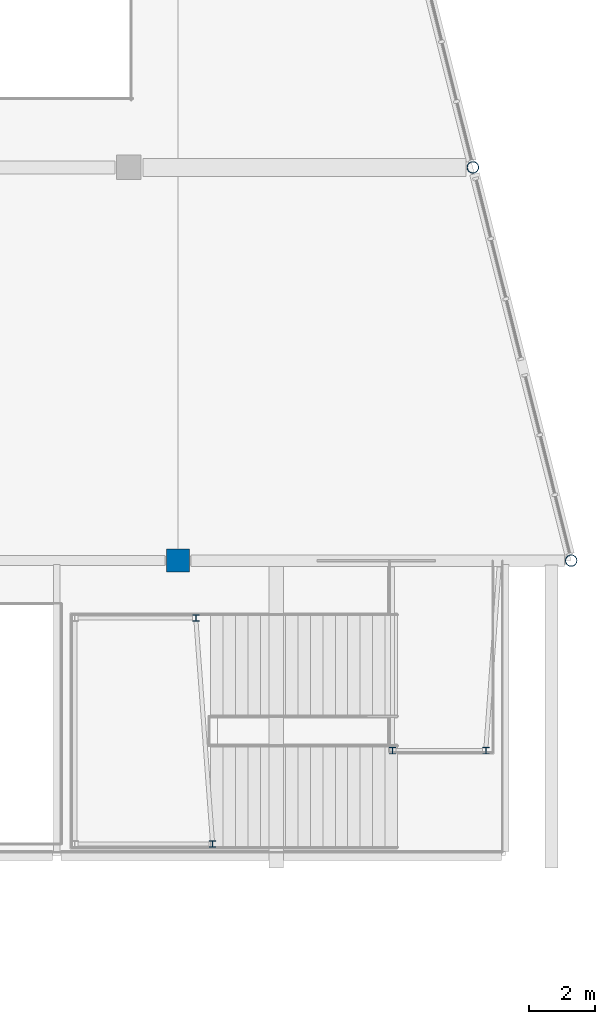
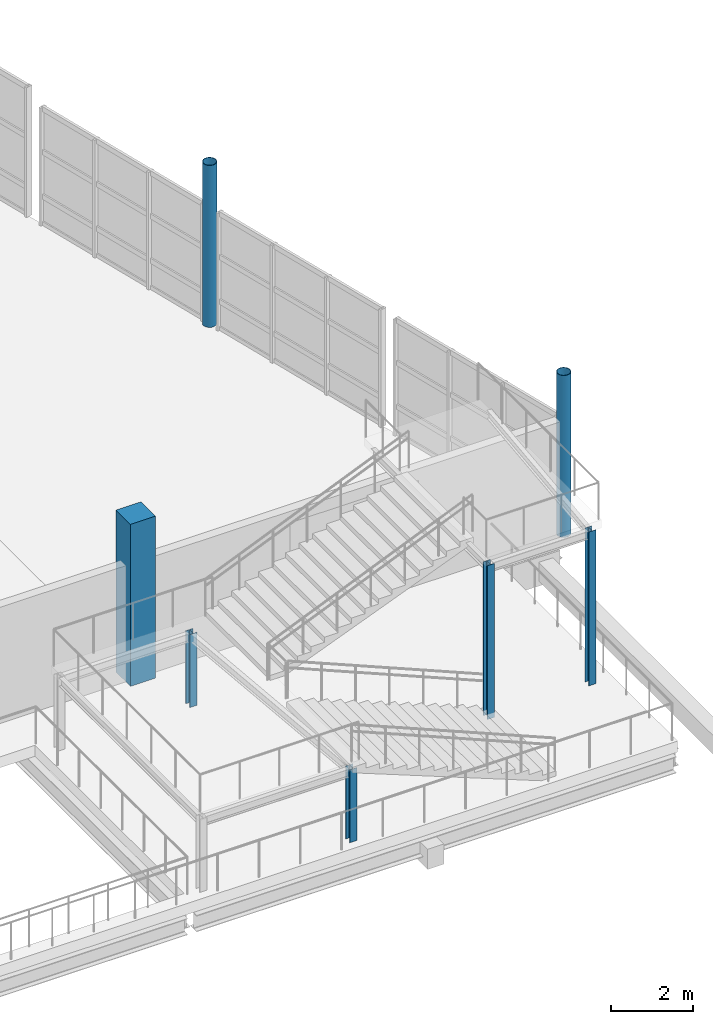
# One storey, part 10 of 112: 7 columns.
"""IFC4 building model written with IfcOpenShell, lengths in metres."""

from ifc_helpers import new_model, si_unit, direction, frame, origin, origin_2d, place, context, subcontext, project, spatial, rectangle, hollow_circle, i_section, extrude, material, material_profile, profile_set, type_object, element, save


model = new_model("IFC4")

# Units and contexts
model_context = context("Model", 3, precision=1e-05, world=origin(), true_north=direction((0.0, 1.0)))
body_context = subcontext(model_context, "Body", "Model", "MODEL_VIEW")
ifc_project = project(units=[si_unit("LENGTHUNIT", "METRE"), si_unit("AREAUNIT", "SQUARE_METRE"), si_unit("VOLUMEUNIT", "CUBIC_METRE"), si_unit("PLANEANGLEUNIT", "RADIAN"), si_unit("MASSUNIT", "GRAM", prefix="KILO")], contexts=[model_context])

# Site, building, storey
site_placement = place(None, origin())
site = spatial("IfcSite", under=ifc_project, at=site_placement, CompositionType="ELEMENT")
building_placement = place(site_placement, origin())
building = spatial("IfcBuilding", under=site, at=building_placement, Name="Kamomehara Wholesale Market", CompositionType="ELEMENT")
storey_placement = place(building_placement, frame((0.0, 0.0, 6.60009765625)))
storey = spatial("IfcBuildingStorey", under=building, at=storey_placement, Name="L01", CompositionType="ELEMENT", Elevation=6.60009765625)

# Columns
ifc_material_1 = material(Name="Precast concrete Fc45 (C40/50)", Category="concrete")
ifc_material_profile_1 = material_profile(ifc_material_1, rectangle(XDim=0.699951171875, YDim=0.699951171875, at=origin_2d()), Name="PC-COL-700x700")
ifc_profile_set_1 = profile_set([ifc_material_profile_1], Name="Precast concrete Fc45 (C40/50)")
column_type_1 = type_object("IfcColumnType", Name="COL-PC700-EXT", PredefinedType="COLUMN", material=ifc_profile_set_1)
column_placement = place(storey_placement, frame((192.0, 24.0, 0.0), z_axis=(0.0, 0.0, 1.0), x_axis=(1.0, 0.0, 0.0)))
element("IfcColumn", 1, at=column_placement, inside=storey, type_object=column_type_1, Name="Column C-05E L01", PredefinedType="COLUMN", context=body_context, shape_type="SweptSolid", body=[
    extrude(rectangle(XDim=0.699951171875, YDim=0.699951171875, at=origin_2d()), origin(), (0.0, 0.0, 1.0), 4.7998046875),
])
ifc_material_2 = material(Name="Steel SN490B", Category="steel")
ifc_material_profile_2 = material_profile(ifc_material_2, hollow_circle(Radius=0.177734375, WallThickness=0.0126953125, at=origin_2d()), Name="CHS-355.6x12.7")
ifc_profile_set_2 = profile_set([ifc_material_profile_2], Name="Steel SN490B")
column_type_2 = type_object("IfcColumnType", Name="COL-ST-CHS355-EXT", PredefinedType="COLUMN", material=ifc_profile_set_2)
for number, where, z_axis, x_axis, name in (
    (2, (201.0, 36.0, 0.0), (0.0, 0.0, 1.0), (1.0, 0.0, 0.0), "Column CS-09E L01"),
    (3, (204.0, 24.0, 0.0), (0.0, 0.0, 1.0), (1.0, 0.0, 0.0), "Column CS-09E L01"),
):
    element("IfcColumn", number, at=place(storey_placement, frame(where, z_axis=z_axis, x_axis=x_axis)), inside=storey, type_object=column_type_2, Name=name, PredefinedType="COLUMN", context=body_context, shape_type="SweptSolid", body=[
        extrude(hollow_circle(Radius=0.177734375, WallThickness=0.0126953125, at=origin_2d()), origin(), (0.0, 0.0, 1.0), 4.7998046875),
    ])
ifc_material_3 = material(Name="Steel SN490B", Category="steel")
ifc_material_profile_3 = material_profile(ifc_material_3, i_section(OverallWidth=0.199951171875, OverallDepth=0.199951171875, WebThickness=0.008056640625, FlangeThickness=0.011962890625, FilletRadius=0.012939453125, at=origin_2d()), Name="H-200x200x8x12")
ifc_profile_set_3 = profile_set([ifc_material_profile_3], Name="Steel SN490B")
column_type_3 = type_object("IfcColumnType", Name="COL-ST-H200-EXT", PredefinedType="COLUMN", material=ifc_profile_set_3)
for number, where, z_axis, x_axis, name in (
    (4, (198.550048828125, 18.199951171875, 0.0), (0.0, 0.0, 1.0), (1.0, 0.0, 0.0), "Column CS-10E L01"),
    (5, (201.39990234375, 18.199951171875, 0.0), (0.0, 0.0, 1.0), (1.0, 0.0, 0.0), "Column CS-10E L01"),
):
    element("IfcColumn", number, at=place(storey_placement, frame(where, z_axis=z_axis, x_axis=x_axis)), inside=storey, type_object=column_type_3, Name=name, PredefinedType="COLUMN", context=body_context, shape_type="SweptSolid", body=[
        extrude(i_section(OverallWidth=0.199951171875, OverallDepth=0.199951171875, WebThickness=0.008056640625, FlangeThickness=0.011962890625, FilletRadius=0.012939453125, at=origin_2d()), origin(), (0.0, 0.0, 1.0), 4.559814453125),
    ])
for number, where, z_axis, x_axis, name in (
    (6, (193.050048828125, 15.35009765625, 0.0), (0.0, 0.0, 1.0), (1.0, 0.0, 0.0), "Column CS-10E L01 ST20.3"),
    (7, (192.550048828125, 22.25, 0.0), (0.0, 0.0, 1.0), (1.0, 0.0, 0.0), "Column CS-10E L01 ST20.4"),
):
    element("IfcColumn", number, at=place(storey_placement, frame(where, z_axis=z_axis, x_axis=x_axis)), inside=storey, type_object=column_type_3, Name=name, PredefinedType="COLUMN", context=body_context, shape_type="SweptSolid", body=[
        extrude(i_section(OverallWidth=0.199951171875, OverallDepth=0.199951171875, WebThickness=0.008056640625, FlangeThickness=0.011962890625, FilletRadius=0.012939453125, at=origin_2d()), origin(), (0.0, 0.0, 1.0), 2.159912109375),
    ])

save(model, "model.ifc")
